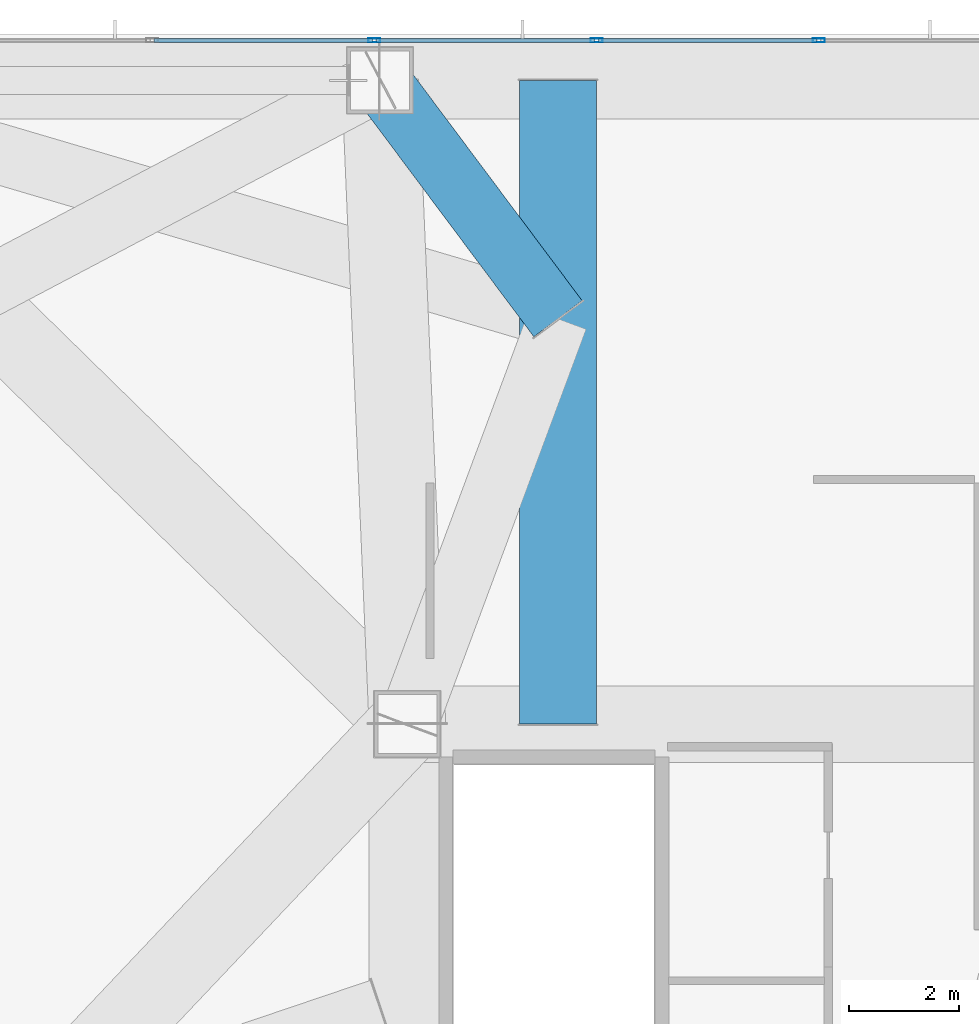
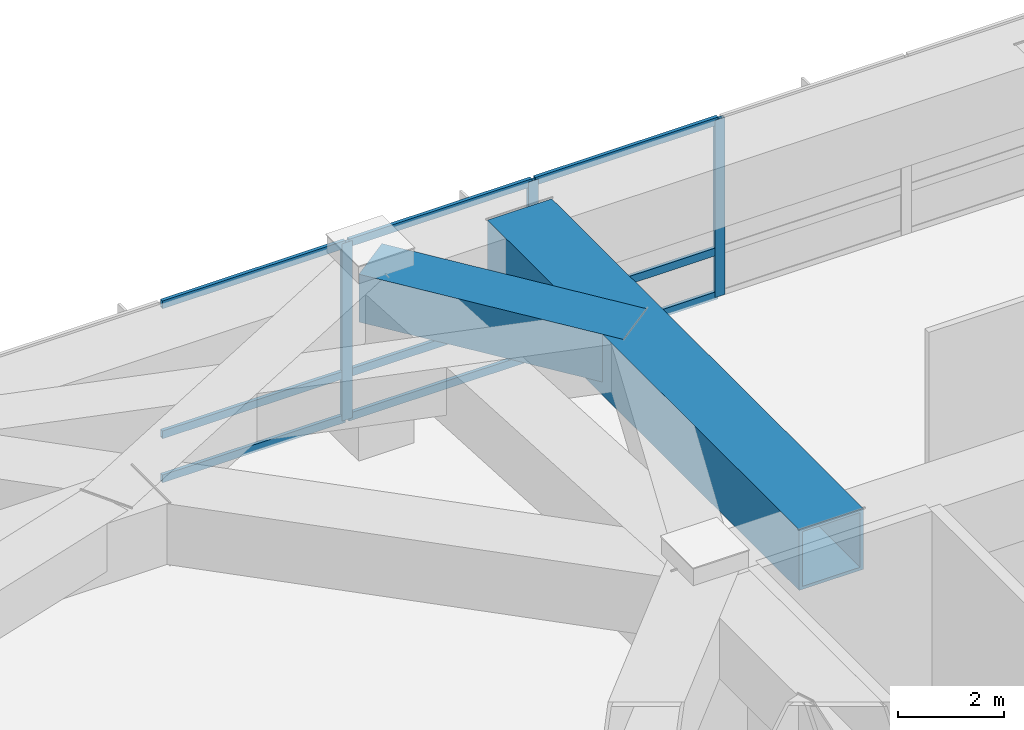
# One storey, part 6 of 27: 12 members, 2 beams, 1 element without a shape of its own.
"""IFC4 building model written with IfcOpenShell, lengths in metres."""

from ifc_helpers import new_model, si_unit, direction, frame, origin, origin_2d, place, context, subcontext, project, spatial, hollow_rectangle, extrude, material, material_profile, profile_set, type_object, element, aggregate, save


model = new_model("IFC4")

# Units and contexts
model_context = context("Model", 3, precision=1e-05, world=origin(), true_north=direction((0.0, 1.0)))
body_context = subcontext(model_context, "Body", "Model", "MODEL_VIEW")
ifc_project = project(units=[si_unit("LENGTHUNIT", "METRE"), si_unit("AREAUNIT", "SQUARE_METRE"), si_unit("VOLUMEUNIT", "CUBIC_METRE"), si_unit("PLANEANGLEUNIT", "RADIAN"), si_unit("MASSUNIT", "GRAM", prefix="KILO")], contexts=[model_context])

# Site, building, storey
site_placement = place(None, origin())
site = spatial("IfcSite", under=ifc_project, at=site_placement, CompositionType="ELEMENT")
building_placement = place(site_placement, origin())
building = spatial("IfcBuilding", under=site, at=building_placement, Name="Khamvora Tower", CompositionType="ELEMENT")
storey_placement = place(building_placement, frame((0.0, 0.0, 28.800048828125)))
storey = spatial("IfcBuildingStorey", under=building, at=storey_placement, Name="L06", CompositionType="ELEMENT", Elevation=28.800048828125)

# Beams
ifc_material_1 = material(Name="Steel S460", Category="steel")
ifc_material_profile_1 = material_profile(ifc_material_1, hollow_rectangle(XDim=1.10009765625, YDim=1.10009765625, WallThickness=0.054931640625, at=origin_2d()), Name="BOX1100x1100x55")
ifc_profile_set_1 = profile_set([ifc_material_profile_1], Name="Steel S460")
beam_type_1 = type_object("IfcBeamType", Name="BM-TG-BOX1100", PredefinedType="BEAM", material=ifc_profile_set_1)
beam_1_placement = place(storey_placement, frame((18.0, 55.14990234375, 3.530029296875), z_axis=(0.598538623606, -0.801093949579, 0.0), x_axis=(0.801093949579, 0.598538623606, 0.0)))
element("IfcBeam", 1, at=beam_1_placement, inside=storey, type_object=beam_type_1, Name="L06 setback frame transfer frame transfer link N2.1", PredefinedType="BEAM", context=body_context, shape_type="SweptSolid", body=[
    extrude(hollow_rectangle(XDim=1.10009765625, YDim=1.10009765625, WallThickness=0.054931640625, at=origin_2d()), origin(), (0.0, 0.0, 1.0), 5.429931640625),
])
ifc_material_profile_2 = material_profile(ifc_material_1, hollow_rectangle(XDim=1.39990234375, YDim=1.39990234375, WallThickness=0.070068359375, at=origin_2d()), Name="BOX1400x1400x70")
ifc_profile_set_2 = profile_set([ifc_material_profile_2], Name="Steel S460")
beam_type_2 = type_object("IfcBeamType", Name="BM-TG-BOX1400", PredefinedType="BEAM", material=ifc_profile_set_2)
beam_2_placement = place(storey_placement, frame((21.25, 43.39990234375, 3.3798828125), z_axis=(0.0, 1.0, 0.0), x_axis=(-1.0, 0.0, 0.0)))
element("IfcBeam", 2, at=beam_2_placement, inside=storey, type_object=beam_type_2, Name="L06 setback frame transfer Box Girder N2", PredefinedType="BEAM", context=body_context, shape_type="SweptSolid", body=[
    extrude(hollow_rectangle(XDim=1.39990234375, YDim=1.39990234375, WallThickness=0.070068359375, at=origin_2d()), origin(), (0.0, 0.0, 1.0), 11.75),
])

# Curtain wall, members
ifc_material_2 = material(Name="Anodised Aluminium 6063-T6", Category="aluminium")
curtain_wall_type = type_object("IfcCurtainWallType", Name="CW-SYS-01", PredefinedType="NOTDEFINED", material=ifc_material_2)
curtain_wall_placement = place(storey_placement, origin())
curtain_wall = element("IfcCurtainWall", 3, at=curtain_wall_placement, inside=storey, type_object=curtain_wall_type, Name="L06 stick curtain wall 07.1", PredefinedType="NOTDEFINED")
ifc_material_profile_3 = material_profile(ifc_material_2, hollow_rectangle(XDim=0.074951171875, YDim=0.219970703125, WallThickness=0.0048828125, at=origin_2d()), Name="MUL75x220x5")
ifc_profile_set_3 = profile_set([ifc_material_profile_3], Name="Anodised Aluminium 6063-T6")
member_type_1 = type_object("IfcMemberType", Name="CW-SYS-01-MUL", PredefinedType="MULLION", material=ifc_profile_set_3)
member_1_placement = place(storey_placement, frame((17.89697265625, 55.8798828125, 0.0), z_axis=(0.0, 0.0, 1.0), x_axis=(0.0, 1.0, 0.0)))
member_1 = element("IfcMember", 4, at=member_1_placement, type_object=member_type_1, Name="CW-01 mullion 4", PredefinedType="MULLION", context=body_context, shape_type="SweptSolid", body=[
    extrude(hollow_rectangle(XDim=0.074951171875, YDim=0.219970703125, WallThickness=0.0048828125, at=origin_2d()), origin(), (0.0, 0.0, 1.0), 4.079833984375),
])
member_2_placement = place(storey_placement, frame((21.95361328125, 55.8798828125, 0.0), z_axis=(0.0, 0.0, 1.0), x_axis=(0.0, 1.0, 0.0)))
member_2 = element("IfcMember", 5, at=member_2_placement, type_object=member_type_1, Name="CW-01 mullion 5", PredefinedType="MULLION", context=body_context, shape_type="SweptSolid", body=[
    extrude(hollow_rectangle(XDim=0.074951171875, YDim=0.219970703125, WallThickness=0.0048828125, at=origin_2d()), origin(), (0.0, 0.0, 1.0), 4.079833984375),
])
member_3_placement = place(storey_placement, frame((26.01025390625, 55.8798828125, 0.0), z_axis=(0.0, 0.0, 1.0), x_axis=(0.0, 1.0, 0.0)))
member_3 = element("IfcMember", 6, at=member_3_placement, type_object=member_type_1, Name="CW-01 mullion 6", PredefinedType="MULLION", context=body_context, shape_type="SweptSolid", body=[
    extrude(hollow_rectangle(XDim=0.074951171875, YDim=0.219970703125, WallThickness=0.0048828125, at=origin_2d()), origin(), (0.0, 0.0, 1.0), 4.079833984375),
])
ifc_material_profile_4 = material_profile(ifc_material_2, hollow_rectangle(XDim=0.074951171875, YDim=0.179931640625, WallThickness=0.0048828125, at=origin_2d()), Name="TRN75x180x5")
ifc_profile_set_4 = profile_set([ifc_material_profile_4], Name="Anodised Aluminium 6063-T6")
member_type_2 = type_object("IfcMemberType", Name="CW-SYS-01-TRN", PredefinedType="USERDEFINED", material=ifc_profile_set_4)
member_4_placement = place(storey_placement, frame((13.877685546875, 55.8798828125, 0.037353515625), z_axis=(1.0, 0.0, 0.0), x_axis=(0.0, 1.0, 0.0)))
member_4 = element("IfcMember", 7, at=member_4_placement, type_object=member_type_2, Name="CW-01 transom 3.1", ObjectType="TRANSOM", PredefinedType="USERDEFINED", context=body_context, shape_type="SweptSolid", body=[
    extrude(hollow_rectangle(XDim=0.074951171875, YDim=0.179931640625, WallThickness=0.0048828125, at=origin_2d()), origin(), (0.0, 0.0, 1.0), 3.981689453125),
])
member_5_placement = place(storey_placement, frame((13.877685546875, 55.8798828125, 1.050048828125), z_axis=(1.0, 0.0, 0.0), x_axis=(0.0, 1.0, 0.0)))
member_5 = element("IfcMember", 8, at=member_5_placement, type_object=member_type_2, Name="CW-01 transom 3.2", ObjectType="TRANSOM", PredefinedType="USERDEFINED", context=body_context, shape_type="SweptSolid", body=[
    extrude(hollow_rectangle(XDim=0.074951171875, YDim=0.179931640625, WallThickness=0.0048828125, at=origin_2d()), origin(), (0.0, 0.0, 1.0), 3.981689453125),
])
member_6_placement = place(storey_placement, frame((13.877685546875, 55.8798828125, 4.04248046875), z_axis=(1.0, 0.0, 0.0), x_axis=(0.0, 1.0, 0.0)))
member_6 = element("IfcMember", 9, at=member_6_placement, type_object=member_type_2, Name="CW-01 transom 3.3", ObjectType="TRANSOM", PredefinedType="USERDEFINED", context=body_context, shape_type="SweptSolid", body=[
    extrude(hollow_rectangle(XDim=0.074951171875, YDim=0.179931640625, WallThickness=0.0048828125, at=origin_2d()), origin(), (0.0, 0.0, 1.0), 3.981689453125),
])
member_7_placement = place(storey_placement, frame((17.934326171875, 55.8798828125, 0.037353515625), z_axis=(1.0, 0.0, 0.0), x_axis=(0.0, 1.0, 0.0)))
member_7 = element("IfcMember", 10, at=member_7_placement, type_object=member_type_2, Name="CW-01 transom 4.1", ObjectType="TRANSOM", PredefinedType="USERDEFINED", context=body_context, shape_type="SweptSolid", body=[
    extrude(hollow_rectangle(XDim=0.074951171875, YDim=0.179931640625, WallThickness=0.0048828125, at=origin_2d()), origin(), (0.0, 0.0, 1.0), 3.981689453125),
])
member_8_placement = place(storey_placement, frame((17.934326171875, 55.8798828125, 1.050048828125), z_axis=(1.0, 0.0, 0.0), x_axis=(0.0, 1.0, 0.0)))
member_8 = element("IfcMember", 11, at=member_8_placement, type_object=member_type_2, Name="CW-01 transom 4.2", ObjectType="TRANSOM", PredefinedType="USERDEFINED", context=body_context, shape_type="SweptSolid", body=[
    extrude(hollow_rectangle(XDim=0.074951171875, YDim=0.179931640625, WallThickness=0.0048828125, at=origin_2d()), origin(), (0.0, 0.0, 1.0), 3.981689453125),
])
member_9_placement = place(storey_placement, frame((17.934326171875, 55.8798828125, 4.04248046875), z_axis=(1.0, 0.0, 0.0), x_axis=(0.0, 1.0, 0.0)))
member_9 = element("IfcMember", 12, at=member_9_placement, type_object=member_type_2, Name="CW-01 transom 4.3", ObjectType="TRANSOM", PredefinedType="USERDEFINED", context=body_context, shape_type="SweptSolid", body=[
    extrude(hollow_rectangle(XDim=0.074951171875, YDim=0.179931640625, WallThickness=0.0048828125, at=origin_2d()), origin(), (0.0, 0.0, 1.0), 3.981689453125),
])
member_10_placement = place(storey_placement, frame((21.990966796875, 55.8798828125, 0.037353515625), z_axis=(1.0, 0.0, 0.0), x_axis=(0.0, 1.0, 0.0)))
member_10 = element("IfcMember", 13, at=member_10_placement, type_object=member_type_2, Name="CW-01 transom 5.1", ObjectType="TRANSOM", PredefinedType="USERDEFINED", context=body_context, shape_type="SweptSolid", body=[
    extrude(hollow_rectangle(XDim=0.074951171875, YDim=0.179931640625, WallThickness=0.0048828125, at=origin_2d()), origin(), (0.0, 0.0, 1.0), 3.981689453125),
])
member_11_placement = place(storey_placement, frame((21.990966796875, 55.8798828125, 1.050048828125), z_axis=(1.0, 0.0, 0.0), x_axis=(0.0, 1.0, 0.0)))
member_11 = element("IfcMember", 14, at=member_11_placement, type_object=member_type_2, Name="CW-01 transom 5.2", ObjectType="TRANSOM", PredefinedType="USERDEFINED", context=body_context, shape_type="SweptSolid", body=[
    extrude(hollow_rectangle(XDim=0.074951171875, YDim=0.179931640625, WallThickness=0.0048828125, at=origin_2d()), origin(), (0.0, 0.0, 1.0), 3.981689453125),
])
member_12_placement = place(storey_placement, frame((21.990966796875, 55.8798828125, 4.04248046875), z_axis=(1.0, 0.0, 0.0), x_axis=(0.0, 1.0, 0.0)))
member_12 = element("IfcMember", 15, at=member_12_placement, type_object=member_type_2, Name="CW-01 transom 5.3", ObjectType="TRANSOM", PredefinedType="USERDEFINED", context=body_context, shape_type="SweptSolid", body=[
    extrude(hollow_rectangle(XDim=0.074951171875, YDim=0.179931640625, WallThickness=0.0048828125, at=origin_2d()), origin(), (0.0, 0.0, 1.0), 3.981689453125),
])
aggregate(curtain_wall, [member_1, member_2, member_3, member_4, member_5, member_6, member_7, member_8, member_9, member_10, member_11, member_12])

save(model, "model.ifc")
